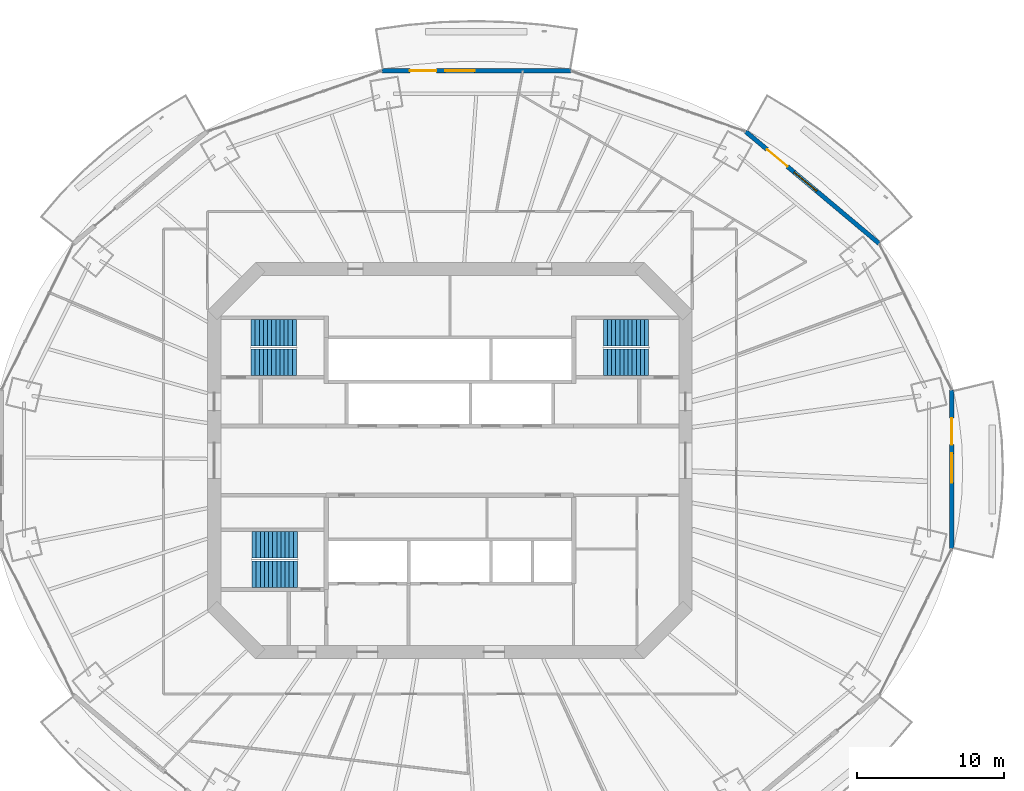
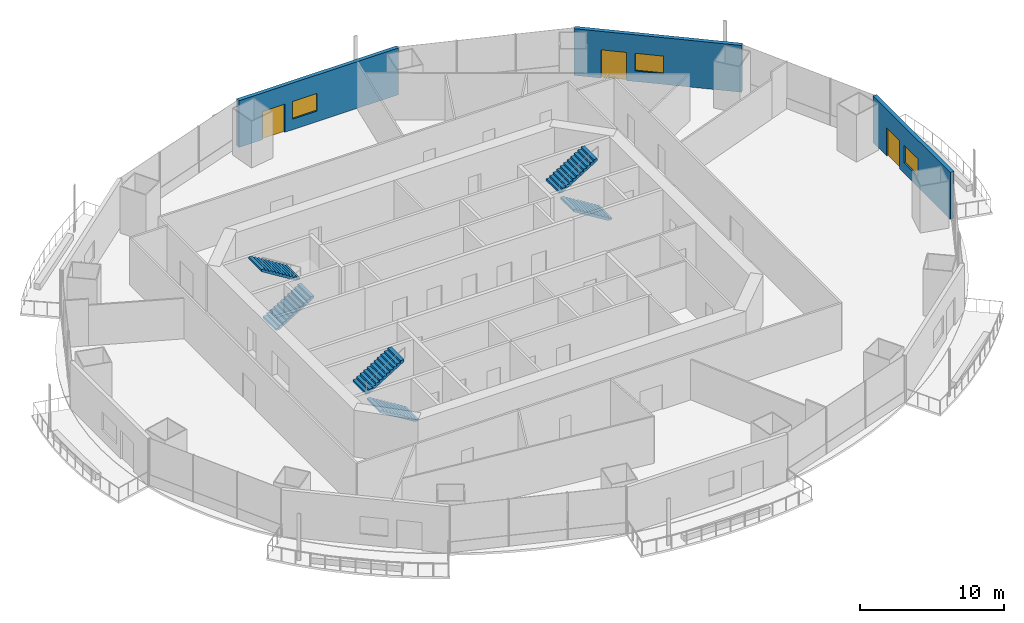
# One storey, part 15 of 21: 6 stair flights, 3 doors, 3 walls, 3 windows, 6 openings, 3 elements without a shape of their own.
"""IFC4 building model written with IfcOpenShell, lengths in metres."""

from ifc_helpers import new_model, si_unit, direction, frame, frame_2d, origin, place, context, subcontext, project, spatial, polyline, rectangle, outline, extrude, material, layer, layer_set, type_object, element, fill, aggregate, save


model = new_model("IFC4")

# Units and contexts
model_context = context("Model", 3, precision=1e-05, world=origin(), true_north=direction((0.0, 1.0)))
body_context = subcontext(model_context, "Body", "Model", "MODEL_VIEW")
ifc_project = project(units=[si_unit("LENGTHUNIT", "METRE"), si_unit("AREAUNIT", "SQUARE_METRE"), si_unit("VOLUMEUNIT", "CUBIC_METRE"), si_unit("PLANEANGLEUNIT", "RADIAN"), si_unit("MASSUNIT", "GRAM", prefix="KILO")], contexts=[model_context])

# Site, building, storey
site_placement = place(None, origin())
site = spatial("IfcSite", under=ifc_project, at=site_placement, CompositionType="ELEMENT")
building_placement = place(site_placement, origin())
building = spatial("IfcBuilding", under=site, at=building_placement, Name="Marenthal Gate Tower", CompositionType="ELEMENT")
storey_placement = place(building_placement, frame((0.0, 0.0, 165.199951171875)))
storey = spatial("IfcBuildingStorey", under=building, at=storey_placement, Name="L35", CompositionType="ELEMENT", Elevation=165.199951171875)

# Wall, openings, door, window
ifc_material_1 = material(Name="Terracotta cladding on insulated concrete-block backing", Category="masonry")
ifc_layer = layer(ifc_material_1, 0.300048828125)
ifc_layer_set = layer_set([ifc_layer], Name="Terracotta facade wall 300")
wall_type = type_object("IfcWallType", Name="Terracotta facade wall 300", PredefinedType="SOLIDWALL", material=ifc_layer_set)
wall_1_placement = place(storey_placement, frame((29.154541015625, 14.729248046875, 0.0), z_axis=(0.0, 0.0, 1.0), x_axis=(-0.766205617694, 0.642595480387, 0.0)))
wall_1 = element("IfcWall", 1, at=wall_1_placement, inside=storey, type_object=wall_type, Name="Terracotta facade wall L35 bay 2", PredefinedType="SOLIDWALL", context=body_context, shape_type="SweptSolid", body=[
    extrude(rectangle(XDim=11.8466796875, YDim=0.300048828125, at=frame_2d((5.92333984375, 0.0))), origin(), (0.0, 0.0, 1.0), 3.969970703125),
])
opening_1_placement = place(wall_1_placement, frame((8.146484375, 0.0, 0.0)))
opening_1 = element("IfcOpeningElement", 2, at=opening_1_placement, cuts=wall_1, Name="Opening BD-L35-02", PredefinedType="OPENING", context=body_context, shape_type="SweptSolid", body=[
    extrude(rectangle(XDim=1.800048828125, YDim=2.39990234375, at=frame_2d((0.89990234375, 1.199951171875))), frame((0.0, 0.16015625, 0.0), z_axis=(0.0, -1.0, 0.0), x_axis=(1.0, 0.0, 0.0)), (0.0, 0.0, 1.0), 0.320068359375),
])
opening_2_placement = place(wall_1_placement, frame((5.54638671875, 0.0, 0.89990234375)))
opening_2 = element("IfcOpeningElement", 3, at=opening_2_placement, cuts=wall_1, Name="Opening WN2-L35-02", PredefinedType="OPENING", context=body_context, shape_type="SweptSolid", body=[
    extrude(rectangle(XDim=2.0, YDim=1.5, at=frame_2d((1.0, 0.75))), frame((0.0, 0.16015625, 0.0), z_axis=(0.0, -1.0, 0.0), x_axis=(1.0, 0.0, 0.0)), (0.0, 0.0, 1.0), 0.320068359375),
])
ifc_material_2 = material(Name="Aluminium and glass", Category="aluminium")
door_type = type_object("IfcDoorType", Name="Balcony door 1800x2400", OperationType="DOUBLE_DOOR_SINGLE_SWING", PredefinedType="DOOR", material=ifc_material_2)
door_1_placement = place(opening_1_placement, origin())
door_1 = element("IfcDoor", 4, at=door_1_placement, inside=storey, type_object=door_type, Name="Balcony door L35 bay 2", OperationType="SINGLE_SWING_LEFT", OverallHeight=2.39990234375, OverallWidth=1.800048828125, PredefinedType="DOOR", context=body_context, shape_type="SweptSolid", body=[
    extrude(rectangle(XDim=1.800048828125, YDim=2.39990234375, at=frame_2d((0.89990234375, 1.199951171875))), frame((0.0, 0.02490234375, 0.0), z_axis=(0.0, -1.0, 0.0), x_axis=(1.0, 0.0, 0.0)), (0.0, 0.0, 1.0), 0.050048828125),
])
fill(opening_1, door_1)
ifc_material_3 = material(Name="Aluminium and glass", Category="aluminium")
window_type = type_object("IfcWindowType", Name="Window 2000x1500", PartitioningType="DOUBLE_PANEL_VERTICAL", PredefinedType="WINDOW", material=ifc_material_3)
window_1_placement = place(opening_2_placement, origin())
window_1 = element("IfcWindow", 5, at=window_1_placement, inside=storey, type_object=window_type, Name="Window L35 bay 2", OverallHeight=1.5, OverallWidth=2.0, PartitioningType="SINGLE_PANEL", PredefinedType="WINDOW", context=body_context, shape_type="SweptSolid", body=[
    extrude(rectangle(XDim=2.0, YDim=1.5, at=frame_2d((1.0, 0.75))), frame((0.0, 0.030029296875, 0.0), z_axis=(0.0, -1.0, 0.0), x_axis=(1.0, 0.0, 0.0)), (0.0, 0.0, 1.0), 0.06005859375),
])
fill(opening_2, window_1)

wall_2_placement = place(storey_placement, frame((8.21826171875, 26.4619140625, 0.0), z_axis=(0.0, 0.0, 1.0), x_axis=(-1.0, 0.0, 0.0)))
wall_2 = element("IfcWall", 6, at=wall_2_placement, inside=storey, type_object=wall_type, Name="Terracotta facade wall L35 bay 4", PredefinedType="SOLIDWALL", context=body_context, shape_type="SweptSolid", body=[
    extrude(rectangle(XDim=12.836669921875, YDim=0.300048828125, at=frame_2d((6.41845703125, 0.0))), origin(), (0.0, 0.0, 1.0), 3.969970703125),
])
opening_3_placement = place(wall_2_placement, frame((9.13671875, 0.0, 0.0)))
opening_3 = element("IfcOpeningElement", 7, at=opening_3_placement, cuts=wall_2, Name="Opening BD-L35-04", PredefinedType="OPENING", context=body_context, shape_type="SweptSolid", body=[
    extrude(rectangle(XDim=1.800048828125, YDim=2.39990234375, at=frame_2d((0.89990234375, 1.199951171875))), frame((0.0, 0.16015625, 0.0), z_axis=(0.0, -1.0, 0.0), x_axis=(1.0, 0.0, 0.0)), (0.0, 0.0, 1.0), 0.320068359375),
])
opening_4_placement = place(wall_2_placement, frame((6.53662109375, 0.0, 0.89990234375)))
opening_4 = element("IfcOpeningElement", 8, at=opening_4_placement, cuts=wall_2, Name="Opening WN2-L35-04", PredefinedType="OPENING", context=body_context, shape_type="SweptSolid", body=[
    extrude(rectangle(XDim=2.0, YDim=1.5, at=frame_2d((1.0, 0.75))), frame((0.0, 0.16015625, 0.0), z_axis=(0.0, -1.0, 0.0), x_axis=(1.0, 0.0, 0.0)), (0.0, 0.0, 1.0), 0.320068359375),
])
door_2_placement = place(opening_3_placement, origin())
door_2 = element("IfcDoor", 9, at=door_2_placement, inside=storey, type_object=door_type, Name="Balcony door L35 bay 4", OperationType="SINGLE_SWING_LEFT", OverallHeight=2.39990234375, OverallWidth=1.800048828125, PredefinedType="DOOR", context=body_context, shape_type="SweptSolid", body=[
    extrude(rectangle(XDim=1.800048828125, YDim=2.39990234375, at=frame_2d((0.89990234375, 1.199951171875))), frame((0.0, 0.02490234375, 0.0), z_axis=(0.0, -1.0, 0.0), x_axis=(1.0, 0.0, 0.0)), (0.0, 0.0, 1.0), 0.050048828125),
])
fill(opening_3, door_2)
window_2_placement = place(opening_4_placement, origin())
window_2 = element("IfcWindow", 10, at=window_2_placement, inside=storey, type_object=window_type, Name="Window L35 bay 4", OverallHeight=1.5, OverallWidth=2.0, PartitioningType="SINGLE_PANEL", PredefinedType="WINDOW", context=body_context, shape_type="SweptSolid", body=[
    extrude(rectangle(XDim=2.0, YDim=1.5, at=frame_2d((1.0, 0.75))), frame((0.0, 0.030029296875, 0.0), z_axis=(0.0, -1.0, 0.0), x_axis=(1.0, 0.0, 0.0)), (0.0, 0.0, 1.0), 0.06005859375),
])
fill(opening_4, window_2)

wall_3_placement = place(storey_placement, frame((34.06689453125, -5.98291015625, 0.0), z_axis=(0.0, 0.0, 1.0), x_axis=(0.0, 1.0, 0.0)))
wall_3 = element("IfcWall", 11, at=wall_3_placement, inside=storey, type_object=wall_type, Name="Terracotta facade wall L35 bay 16", PredefinedType="SOLIDWALL", context=body_context, shape_type="SweptSolid", body=[
    extrude(rectangle(XDim=10.765869140625, YDim=0.300048828125, at=frame_2d((5.3828125, 0.0))), origin(), (0.0, 0.0, 1.0), 3.969970703125),
])
opening_5_placement = place(wall_3_placement, frame((7.06591796875, 0.0, 0.0)))
opening_5 = element("IfcOpeningElement", 12, at=opening_5_placement, cuts=wall_3, Name="Opening BD-L35-16", PredefinedType="OPENING", context=body_context, shape_type="SweptSolid", body=[
    extrude(rectangle(XDim=1.800048828125, YDim=2.39990234375, at=frame_2d((0.89990234375, 1.199951171875))), frame((0.0, 0.16015625, 0.0), z_axis=(0.0, -1.0, 0.0), x_axis=(1.0, 0.0, 0.0)), (0.0, 0.0, 1.0), 0.320068359375),
])
opening_6_placement = place(wall_3_placement, frame((4.4658203125, 0.0, 0.89990234375)))
opening_6 = element("IfcOpeningElement", 13, at=opening_6_placement, cuts=wall_3, Name="Opening WN2-L35-16", PredefinedType="OPENING", context=body_context, shape_type="SweptSolid", body=[
    extrude(rectangle(XDim=2.0, YDim=1.5, at=frame_2d((1.0, 0.75))), frame((0.0, 0.16015625, 0.0), z_axis=(0.0, -1.0, 0.0), x_axis=(1.0, 0.0, 0.0)), (0.0, 0.0, 1.0), 0.320068359375),
])
door_3_placement = place(opening_5_placement, origin())
door_3 = element("IfcDoor", 14, at=door_3_placement, inside=storey, type_object=door_type, Name="Balcony door L35 bay 16", OperationType="SINGLE_SWING_LEFT", OverallHeight=2.39990234375, OverallWidth=1.800048828125, PredefinedType="DOOR", context=body_context, shape_type="SweptSolid", body=[
    extrude(rectangle(XDim=1.800048828125, YDim=2.39990234375, at=frame_2d((0.89990234375, 1.199951171875))), frame((0.0, 0.02490234375, 0.0), z_axis=(0.0, -1.0, 0.0), x_axis=(1.0, 0.0, 0.0)), (0.0, 0.0, 1.0), 0.050048828125),
])
fill(opening_5, door_3)
window_3_placement = place(opening_6_placement, origin())
window_3 = element("IfcWindow", 15, at=window_3_placement, inside=storey, type_object=window_type, Name="Window L35 bay 16", OverallHeight=1.5, OverallWidth=2.0, PartitioningType="SINGLE_PANEL", PredefinedType="WINDOW", context=body_context, shape_type="SweptSolid", body=[
    extrude(rectangle(XDim=2.0, YDim=1.5, at=frame_2d((1.0, 0.75))), frame((0.0, 0.030029296875, 0.0), z_axis=(0.0, -1.0, 0.0), x_axis=(1.0, 0.0, 0.0)), (0.0, 0.0, 1.0), 0.06005859375),
])
fill(opening_6, window_3)

# Stair, stair flights
ifc_material_4 = material(Name="Concrete 40 MPa", Category="concrete")
stair_type = type_object("IfcStairType", Name="Exit stair 1800", PredefinedType="HALF_TURN_STAIR", material=ifc_material_4)
stair_1_placement = place(storey_placement, origin())
stair_1 = element("IfcStair", 16, at=stair_1_placement, inside=storey, type_object=stair_type, Name="Stair ST1", PredefinedType="HALF_TURN_STAIR")
ifc_material_5 = material(Name="Concrete 40 MPa", Category="concrete")
stair_flight_type = type_object("IfcStairFlightType", Name="Stair flight 1800", PredefinedType="STRAIGHT", material=ifc_material_5)
stair_flight_1_placement = place(storey_placement, frame((-13.5, 6.675048828125, 0.0), z_axis=(0.0, 0.0, 1.0), x_axis=(1.0, 0.0, 0.0)))
stair_flight_1 = element("IfcStairFlight", 17, at=stair_flight_1_placement, type_object=stair_flight_type, Name="ST1 flight 1", NumberOfRisers=12, NumberOfTreads=11, PredefinedType="STRAIGHT", RiserHeight=0.172916667, TreadLength=0.28, context=body_context, shape_type="SweptSolid", body=[
    extrude(outline(polyline([(0.0, 0.0), (0.0, 0.1728515625), (0.280029296875, 0.1728515625), (0.280029296875, 0.345947265625), (0.56005859375, 0.345947265625), (0.56005859375, 0.518798828125), (0.840087890625, 0.518798828125), (0.840087890625, 0.691650390625), (1.1201171875, 0.691650390625), (1.1201171875, 0.864501953125), (1.39990234375, 0.864501953125), (1.39990234375, 1.03759765625), (1.679931640625, 1.03759765625), (1.679931640625, 1.21044921875), (1.9599609375, 1.21044921875), (1.9599609375, 1.38330078125), (2.239990234375, 1.38330078125), (2.239990234375, 1.55615234375), (2.52001953125, 1.55615234375), (2.52001953125, 1.729248046875), (2.800048828125, 1.729248046875), (2.800048828125, 1.902099609375), (3.080078125, 1.902099609375), (3.080078125, 2.074951171875), (3.080078125, 1.725830078125), (0.285400390625, 0.0), (0.0, 0.0)])), frame((0.0, 0.89990234375, 0.0), z_axis=(0.0, -1.0, 0.0), x_axis=(1.0, 0.0, 0.0)), (0.0, 0.0, 1.0), 1.800048828125),
])
stair_flight_2_placement = place(storey_placement, frame((-10.419921875, 8.675048828125, 2.074951171875), z_axis=(0.0, 0.0, 1.0), x_axis=(-1.0, 0.0, 0.0)))
stair_flight_2 = element("IfcStairFlight", 18, at=stair_flight_2_placement, type_object=stair_flight_type, Name="ST1 flight 2", NumberOfRisers=12, NumberOfTreads=11, PredefinedType="STRAIGHT", RiserHeight=0.172916667, TreadLength=0.28, context=body_context, shape_type="SweptSolid", body=[
    extrude(outline(polyline([(0.0, 0.0), (0.0, 0.1728515625), (0.280029296875, 0.1728515625), (0.280029296875, 0.345947265625), (0.56005859375, 0.345947265625), (0.56005859375, 0.518798828125), (0.840087890625, 0.518798828125), (0.840087890625, 0.691650390625), (1.1201171875, 0.691650390625), (1.1201171875, 0.864501953125), (1.39990234375, 0.864501953125), (1.39990234375, 1.03759765625), (1.679931640625, 1.03759765625), (1.679931640625, 1.21044921875), (1.9599609375, 1.21044921875), (1.9599609375, 1.38330078125), (2.239990234375, 1.38330078125), (2.239990234375, 1.55615234375), (2.52001953125, 1.55615234375), (2.52001953125, 1.729248046875), (2.800048828125, 1.729248046875), (2.800048828125, 1.902099609375), (3.080078125, 1.902099609375), (3.080078125, 2.074951171875), (3.080078125, 1.725830078125), (0.285400390625, 0.0), (0.0, 0.0)])), frame((0.0, 0.89990234375, 0.0), z_axis=(0.0, -1.0, 0.0), x_axis=(1.0, 0.0, 0.0)), (0.0, 0.0, 1.0), 1.800048828125),
])
aggregate(stair_1, [stair_flight_1, stair_flight_2])

stair_2_placement = place(storey_placement, origin())
stair_2 = element("IfcStair", 19, at=stair_2_placement, inside=storey, type_object=stair_type, Name="Stair ST2", PredefinedType="HALF_TURN_STAIR")
stair_flight_3_placement = place(storey_placement, frame((-10.35009765625, -7.72509765625, 0.0), z_axis=(0.0, 0.0, 1.0), x_axis=(-1.0, 0.0, 0.0)))
stair_flight_3 = element("IfcStairFlight", 20, at=stair_flight_3_placement, type_object=stair_flight_type, Name="ST2 flight 1", NumberOfRisers=12, NumberOfTreads=11, PredefinedType="STRAIGHT", RiserHeight=0.172916667, TreadLength=0.28, context=body_context, shape_type="SweptSolid", body=[
    extrude(outline(polyline([(0.0, 0.0), (0.0, 0.1728515625), (0.280029296875, 0.1728515625), (0.280029296875, 0.345947265625), (0.56005859375, 0.345947265625), (0.56005859375, 0.518798828125), (0.840087890625, 0.518798828125), (0.840087890625, 0.691650390625), (1.1201171875, 0.691650390625), (1.1201171875, 0.864501953125), (1.39990234375, 0.864501953125), (1.39990234375, 1.03759765625), (1.679931640625, 1.03759765625), (1.679931640625, 1.21044921875), (1.9599609375, 1.21044921875), (1.9599609375, 1.38330078125), (2.239990234375, 1.38330078125), (2.239990234375, 1.55615234375), (2.52001953125, 1.55615234375), (2.52001953125, 1.729248046875), (2.800048828125, 1.729248046875), (2.800048828125, 1.902099609375), (3.080078125, 1.902099609375), (3.080078125, 2.074951171875), (3.080078125, 1.725830078125), (0.285400390625, 0.0), (0.0, 0.0)])), frame((0.0, 0.89990234375, 0.0), z_axis=(0.0, -1.0, 0.0), x_axis=(1.0, 0.0, 0.0)), (0.0, 0.0, 1.0), 1.800048828125),
])
stair_flight_4_placement = place(storey_placement, frame((-13.429931640625, -5.72509765625, 2.074951171875), z_axis=(0.0, 0.0, 1.0), x_axis=(1.0, 0.0, 0.0)))
stair_flight_4 = element("IfcStairFlight", 21, at=stair_flight_4_placement, type_object=stair_flight_type, Name="ST2 flight 2", NumberOfRisers=12, NumberOfTreads=11, PredefinedType="STRAIGHT", RiserHeight=0.172916667, TreadLength=0.28, context=body_context, shape_type="SweptSolid", body=[
    extrude(outline(polyline([(0.0, 0.0), (0.0, 0.1728515625), (0.280029296875, 0.1728515625), (0.280029296875, 0.345947265625), (0.56005859375, 0.345947265625), (0.56005859375, 0.518798828125), (0.840087890625, 0.518798828125), (0.840087890625, 0.691650390625), (1.1201171875, 0.691650390625), (1.1201171875, 0.864501953125), (1.39990234375, 0.864501953125), (1.39990234375, 1.03759765625), (1.679931640625, 1.03759765625), (1.679931640625, 1.21044921875), (1.9599609375, 1.21044921875), (1.9599609375, 1.38330078125), (2.239990234375, 1.38330078125), (2.239990234375, 1.55615234375), (2.52001953125, 1.55615234375), (2.52001953125, 1.729248046875), (2.800048828125, 1.729248046875), (2.800048828125, 1.902099609375), (3.080078125, 1.902099609375), (3.080078125, 2.074951171875), (3.080078125, 1.725830078125), (0.285400390625, 0.0), (0.0, 0.0)])), frame((0.0, 0.89990234375, 0.0), z_axis=(0.0, -1.0, 0.0), x_axis=(1.0, 0.0, 0.0)), (0.0, 0.0, 1.0), 1.800048828125),
])
aggregate(stair_2, [stair_flight_3, stair_flight_4])

stair_3_placement = place(storey_placement, origin())
stair_3 = element("IfcStair", 22, at=stair_3_placement, inside=storey, type_object=stair_type, Name="Stair ST3", PredefinedType="HALF_TURN_STAIR")
stair_flight_5_placement = place(storey_placement, frame((13.5, 6.675048828125, 0.0), z_axis=(0.0, 0.0, 1.0), x_axis=(-1.0, 0.0, 0.0)))
stair_flight_5 = element("IfcStairFlight", 23, at=stair_flight_5_placement, type_object=stair_flight_type, Name="ST3 flight 1", NumberOfRisers=12, NumberOfTreads=11, PredefinedType="STRAIGHT", RiserHeight=0.172916667, TreadLength=0.28, context=body_context, shape_type="SweptSolid", body=[
    extrude(outline(polyline([(0.0, 0.0), (0.0, 0.1728515625), (0.280029296875, 0.1728515625), (0.280029296875, 0.345947265625), (0.56005859375, 0.345947265625), (0.56005859375, 0.518798828125), (0.840087890625, 0.518798828125), (0.840087890625, 0.691650390625), (1.1201171875, 0.691650390625), (1.1201171875, 0.864501953125), (1.39990234375, 0.864501953125), (1.39990234375, 1.03759765625), (1.679931640625, 1.03759765625), (1.679931640625, 1.21044921875), (1.9599609375, 1.21044921875), (1.9599609375, 1.38330078125), (2.239990234375, 1.38330078125), (2.239990234375, 1.55615234375), (2.52001953125, 1.55615234375), (2.52001953125, 1.729248046875), (2.800048828125, 1.729248046875), (2.800048828125, 1.902099609375), (3.080078125, 1.902099609375), (3.080078125, 2.074951171875), (3.080078125, 1.725830078125), (0.285400390625, 0.0), (0.0, 0.0)])), frame((0.0, 0.89990234375, 0.0), z_axis=(0.0, -1.0, 0.0), x_axis=(1.0, 0.0, 0.0)), (0.0, 0.0, 1.0), 1.800048828125),
])
stair_flight_6_placement = place(storey_placement, frame((10.419921875, 8.675048828125, 2.074951171875), z_axis=(0.0, 0.0, 1.0), x_axis=(1.0, 0.0, 0.0)))
stair_flight_6 = element("IfcStairFlight", 24, at=stair_flight_6_placement, type_object=stair_flight_type, Name="ST3 flight 2", NumberOfRisers=12, NumberOfTreads=11, PredefinedType="STRAIGHT", RiserHeight=0.172916667, TreadLength=0.28, context=body_context, shape_type="SweptSolid", body=[
    extrude(outline(polyline([(0.0, 0.0), (0.0, 0.1728515625), (0.280029296875, 0.1728515625), (0.280029296875, 0.345947265625), (0.56005859375, 0.345947265625), (0.56005859375, 0.518798828125), (0.840087890625, 0.518798828125), (0.840087890625, 0.691650390625), (1.1201171875, 0.691650390625), (1.1201171875, 0.864501953125), (1.39990234375, 0.864501953125), (1.39990234375, 1.03759765625), (1.679931640625, 1.03759765625), (1.679931640625, 1.21044921875), (1.9599609375, 1.21044921875), (1.9599609375, 1.38330078125), (2.239990234375, 1.38330078125), (2.239990234375, 1.55615234375), (2.52001953125, 1.55615234375), (2.52001953125, 1.729248046875), (2.800048828125, 1.729248046875), (2.800048828125, 1.902099609375), (3.080078125, 1.902099609375), (3.080078125, 2.074951171875), (3.080078125, 1.725830078125), (0.285400390625, 0.0), (0.0, 0.0)])), frame((0.0, 0.89990234375, 0.0), z_axis=(0.0, -1.0, 0.0), x_axis=(1.0, 0.0, 0.0)), (0.0, 0.0, 1.0), 1.800048828125),
])
aggregate(stair_3, [stair_flight_5, stair_flight_6])

save(model, "model.ifc")
